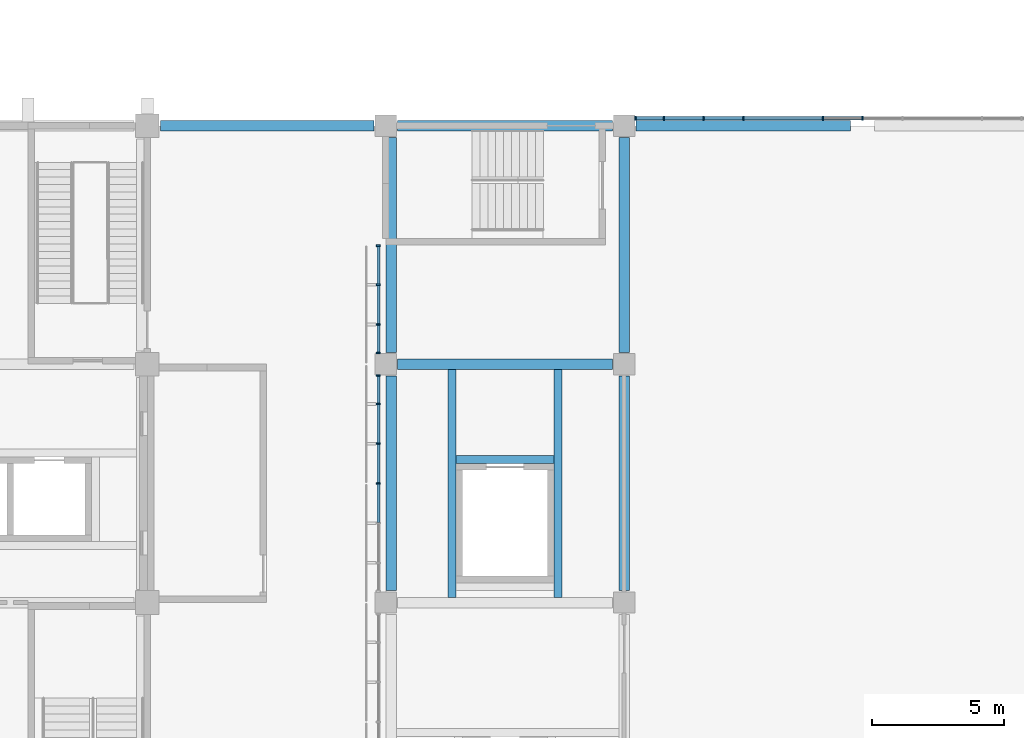
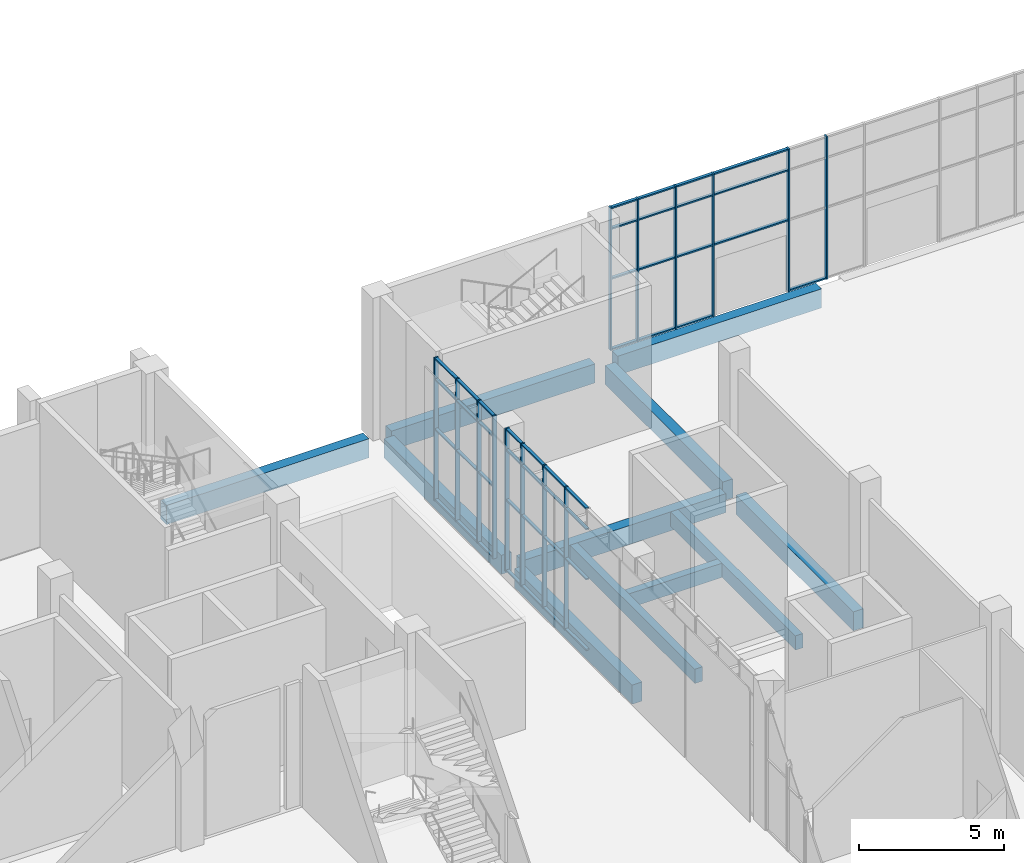
# One storey, part 23 of 86: 58 members, 11 beams, 3 elements without a shape of their own.
"""IFC4 building model written with IfcOpenShell, lengths in metres."""

from ifc_helpers import new_model, si_unit, direction, frame, origin, origin_2d, place, context, subcontext, project, spatial, rectangle, extrude, material, layer, layer_set, material_profile, profile_set, type_object, element, aggregate, save


model = new_model("IFC4")

# Units and contexts
model_context = context("Model", 3, precision=1e-05, world=origin(), true_north=direction((0.0, 1.0)))
body_context = subcontext(model_context, "Body", "Model", "MODEL_VIEW")
ifc_project = project(units=[si_unit("LENGTHUNIT", "METRE"), si_unit("AREAUNIT", "SQUARE_METRE"), si_unit("VOLUMEUNIT", "CUBIC_METRE"), si_unit("PLANEANGLEUNIT", "RADIAN"), si_unit("MASSUNIT", "GRAM", prefix="KILO")], contexts=[model_context])

# Site, building, storey
site_placement = place(None, origin())
site = spatial("IfcSite", under=ifc_project, at=site_placement, CompositionType="ELEMENT")
building_placement = place(site_placement, origin())
building = spatial("IfcBuilding", under=site, at=building_placement, Name="Guidao Yard Department Store", CompositionType="ELEMENT")
storey_placement = place(building_placement, origin())
storey = spatial("IfcBuildingStorey", under=building, at=storey_placement, Name="L00", CompositionType="ELEMENT", Elevation=0.0)

# Beams
ifc_material_1 = material(Name="Concrete C40", Category="concrete")
ifc_material_profile_1 = material_profile(ifc_material_1, rectangle(XDim=0.39990234375, YDim=0.800048828125, at=origin_2d()), Name="Edge beam 400 x 800 C40")
ifc_profile_set_1 = profile_set([ifc_material_profile_1], Name="Concrete C40")
beam_type_1 = type_object("IfcBeamType", Name="Edge beam 400 x 800 C40", PredefinedType="BEAM", material=ifc_profile_set_1)
for number, where, z_axis, x_axis, name in (
    (1, (72.199951171875, 90.449951171875, -0.39990234375), (0.0, 1.0, 0.0), (-1.0, 0.0, 0.0), "Beam EB39"),
    (2, (72.199951171875, 99.449951171875, -0.39990234375), (0.0, 1.0, 0.0), (-1.0, 0.0, 0.0), "Beam EB40"),
    (3, (81.0, 90.449951171875, -0.39990234375), (0.0, 1.0, 0.0), (-1.0, 0.0, 0.0), "Beam EB60"),
    (4, (81.0, 99.449951171875, -0.39990234375), (0.0, 1.0, 0.0), (-1.0, 0.0, 0.0), "Beam EB61"),
    (5, (72.449951171875, 99.0, -0.39990234375), (1.0, 0.0, 0.0), (0.0, 1.0, 0.0), "Beam EB103"),
):
    element("IfcBeam", number, at=place(storey_placement, frame(where, z_axis=z_axis, x_axis=x_axis)), inside=storey, type_object=beam_type_1, Name=name, PredefinedType="BEAM", context=body_context, shape_type="SweptSolid", body=[
        extrude(rectangle(XDim=0.39990234375, YDim=0.800048828125, at=origin_2d()), origin(), (0.0, 0.0, 1.0), 8.10009765625),
    ])

# Curtain wall, members
ifc_material_2 = material(Name="Aluminium and glass", Category="aluminium")
ifc_layer = layer(ifc_material_2, 0.159912109375)
ifc_layer_set = layer_set([ifc_layer], Name="Shopfront curtain wall CW1 1500 module")
curtain_wall_type = type_object("IfcCurtainWallType", Name="Shopfront curtain wall CW1 1500 module", PredefinedType="NOTDEFINED", material=ifc_layer_set)
curtain_wall_1_placement = place(storey_placement, origin())
curtain_wall_1 = element("IfcCurtainWall", 6, at=curtain_wall_1_placement, inside=storey, type_object=curtain_wall_type, Name="Arcade shop front", PredefinedType="NOTDEFINED")
ifc_material_3 = material(Name="Aluminium 6063-T5", Category="aluminium")
ifc_material_profile_2 = material_profile(ifc_material_3, rectangle(XDim=0.06005859375, YDim=0.159912109375, at=origin_2d()), Name="Mullion M1 60 x 160 aluminium pressure plate")
ifc_profile_set_2 = profile_set([ifc_material_profile_2], Name="Aluminium 6063-T5")
member_type_1 = type_object("IfcMemberType", Name="Mullion M1 60 x 160 aluminium pressure plate", PredefinedType="MULLION", material=ifc_profile_set_2)
member_1_placement = place(storey_placement, frame((71.719970703125, 94.5, 0.0), z_axis=(0.0, 0.0, 1.0), x_axis=(0.0, 1.0, 0.0)))
member_1 = element("IfcMember", 7, at=member_1_placement, type_object=member_type_1, Name="CW-AS-L00-09 mullion 4", PredefinedType="MULLION", context=body_context, shape_type="SweptSolid", body=[
    extrude(rectangle(XDim=0.06005859375, YDim=0.159912109375, at=origin_2d()), origin(), (0.0, 0.0, 1.0), 6.0),
])
member_2_placement = place(storey_placement, frame((71.719970703125, 96.0, 0.0), z_axis=(0.0, 0.0, 1.0), x_axis=(0.0, 1.0, 0.0)))
member_2 = element("IfcMember", 8, at=member_2_placement, type_object=member_type_1, Name="CW-AS-L00-09 mullion 5", PredefinedType="MULLION", context=body_context, shape_type="SweptSolid", body=[
    extrude(rectangle(XDim=0.06005859375, YDim=0.159912109375, at=origin_2d()), origin(), (0.0, 0.0, 1.0), 6.0),
])
member_3_placement = place(storey_placement, frame((71.719970703125, 97.5, 0.0), z_axis=(0.0, 0.0, 1.0), x_axis=(0.0, 1.0, 0.0)))
member_3 = element("IfcMember", 9, at=member_3_placement, type_object=member_type_1, Name="CW-AS-L00-09 mullion 6", PredefinedType="MULLION", context=body_context, shape_type="SweptSolid", body=[
    extrude(rectangle(XDim=0.06005859375, YDim=0.159912109375, at=origin_2d()), origin(), (0.0, 0.0, 1.0), 6.0),
])
member_4_placement = place(storey_placement, frame((71.719970703125, 98.570068359375, 0.0), z_axis=(0.0, 0.0, 1.0), x_axis=(0.0, 1.0, 0.0)))
member_4 = element("IfcMember", 10, at=member_4_placement, type_object=member_type_1, Name="CW-AS-L00-09 mullion 7", PredefinedType="MULLION", context=body_context, shape_type="SweptSolid", body=[
    extrude(rectangle(XDim=0.06005859375, YDim=0.159912109375, at=origin_2d()), origin(), (0.0, 0.0, 1.0), 6.0),
])

curtain_wall_2_placement = place(storey_placement, origin())
curtain_wall_2 = element("IfcCurtainWall", 11, at=curtain_wall_2_placement, inside=storey, type_object=curtain_wall_type, Name="Arcade shop front", PredefinedType="NOTDEFINED")
member_5_placement = place(storey_placement, frame((71.719970703125, 99.429931640625, 0.0), z_axis=(0.0, 0.0, 1.0), x_axis=(0.0, 1.0, 0.0)))
member_5 = element("IfcMember", 12, at=member_5_placement, type_object=member_type_1, Name="CW-AS-L00-10 mullion 1", PredefinedType="MULLION", context=body_context, shape_type="SweptSolid", body=[
    extrude(rectangle(XDim=0.06005859375, YDim=0.159912109375, at=origin_2d()), origin(), (0.0, 0.0, 1.0), 6.0),
])
member_6_placement = place(storey_placement, frame((71.719970703125, 100.5, 0.0), z_axis=(0.0, 0.0, 1.0), x_axis=(0.0, 1.0, 0.0)))
member_6 = element("IfcMember", 13, at=member_6_placement, type_object=member_type_1, Name="CW-AS-L00-10 mullion 2", PredefinedType="MULLION", context=body_context, shape_type="SweptSolid", body=[
    extrude(rectangle(XDim=0.06005859375, YDim=0.159912109375, at=origin_2d()), origin(), (0.0, 0.0, 1.0), 6.0),
])
member_7_placement = place(storey_placement, frame((71.719970703125, 102.0, 0.0), z_axis=(0.0, 0.0, 1.0), x_axis=(0.0, 1.0, 0.0)))
member_7 = element("IfcMember", 14, at=member_7_placement, type_object=member_type_1, Name="CW-AS-L00-10 mullion 3", PredefinedType="MULLION", context=body_context, shape_type="SweptSolid", body=[
    extrude(rectangle(XDim=0.06005859375, YDim=0.159912109375, at=origin_2d()), origin(), (0.0, 0.0, 1.0), 6.0),
])
member_8_placement = place(storey_placement, frame((71.719970703125, 103.469970703125, 0.0), z_axis=(0.0, 0.0, 1.0), x_axis=(0.0, 1.0, 0.0)))
member_8 = element("IfcMember", 15, at=member_8_placement, type_object=member_type_1, Name="CW-AS-L00-10 mullion 4", PredefinedType="MULLION", context=body_context, shape_type="SweptSolid", body=[
    extrude(rectangle(XDim=0.06005859375, YDim=0.159912109375, at=origin_2d()), origin(), (0.0, 0.0, 1.0), 6.0),
])

curtain_wall_3_placement = place(storey_placement, origin())
curtain_wall_3 = element("IfcCurtainWall", 16, at=curtain_wall_3_placement, inside=storey, type_object=curtain_wall_type, Name="Arcade gable glazing", PredefinedType="NOTDEFINED")
member_9_placement = place(storey_placement, frame((81.429931640625, 108.280029296875, 0.0), z_axis=(0.0, 0.0, 1.0), x_axis=(1.0, 0.0, 0.0)))
member_9 = element("IfcMember", 17, at=member_9_placement, type_object=member_type_1, Name="CW-AG-L00-01 mullion 1", PredefinedType="MULLION", context=body_context, shape_type="SweptSolid", body=[
    extrude(rectangle(XDim=0.06005859375, YDim=0.159912109375, at=origin_2d()), origin(), (0.0, 0.0, 1.0), 6.0),
])
member_10_placement = place(storey_placement, frame((82.5, 108.280029296875, 0.0), z_axis=(0.0, 0.0, 1.0), x_axis=(1.0, 0.0, 0.0)))
member_10 = element("IfcMember", 18, at=member_10_placement, type_object=member_type_1, Name="CW-AG-L00-01 mullion 2", PredefinedType="MULLION", context=body_context, shape_type="SweptSolid", body=[
    extrude(rectangle(XDim=0.06005859375, YDim=0.159912109375, at=origin_2d()), origin(), (0.0, 0.0, 1.0), 6.0),
])
member_11_placement = place(storey_placement, frame((84.0, 108.280029296875, 0.0), z_axis=(0.0, 0.0, 1.0), x_axis=(1.0, 0.0, 0.0)))
member_11 = element("IfcMember", 19, at=member_11_placement, type_object=member_type_1, Name="CW-AG-L00-01 mullion 3", PredefinedType="MULLION", context=body_context, shape_type="SweptSolid", body=[
    extrude(rectangle(XDim=0.06005859375, YDim=0.159912109375, at=origin_2d()), origin(), (0.0, 0.0, 1.0), 6.0),
])
member_12_placement = place(storey_placement, frame((85.5, 108.280029296875, 0.0), z_axis=(0.0, 0.0, 1.0), x_axis=(1.0, 0.0, 0.0)))
member_12 = element("IfcMember", 20, at=member_12_placement, type_object=member_type_1, Name="CW-AG-L00-01 mullion 4", PredefinedType="MULLION", context=body_context, shape_type="SweptSolid", body=[
    extrude(rectangle(XDim=0.06005859375, YDim=0.159912109375, at=origin_2d()), origin(), (0.0, 0.0, 1.0), 6.0),
])
member_13_placement = place(storey_placement, frame((88.5, 108.280029296875, 0.0), z_axis=(0.0, 0.0, 1.0), x_axis=(1.0, 0.0, 0.0)))
member_13 = element("IfcMember", 21, at=member_13_placement, type_object=member_type_1, Name="CW-AG-L00-01 mullion 5", PredefinedType="MULLION", context=body_context, shape_type="SweptSolid", body=[
    extrude(rectangle(XDim=0.06005859375, YDim=0.159912109375, at=origin_2d()), origin(), (0.0, 0.0, 1.0), 6.0),
])
member_14_placement = place(storey_placement, frame((90.0, 108.280029296875, 0.0), z_axis=(0.0, 0.0, 1.0), x_axis=(1.0, 0.0, 0.0)))
member_14 = element("IfcMember", 22, at=member_14_placement, type_object=member_type_1, Name="CW-AG-L00-01 mullion 6", PredefinedType="MULLION", context=body_context, shape_type="SweptSolid", body=[
    extrude(rectangle(XDim=0.06005859375, YDim=0.159912109375, at=origin_2d()), origin(), (0.0, 0.0, 1.0), 6.0),
])

# Beams
ifc_material_4 = material(Name="Concrete C40", Category="concrete")
ifc_material_profile_3 = material_profile(ifc_material_4, rectangle(XDim=0.300048828125, YDim=0.60009765625, at=origin_2d()), Name="Opening beam 300 x 600 C40")
ifc_profile_set_3 = profile_set([ifc_material_profile_3], Name="Concrete C40")
beam_type_2 = type_object("IfcBeamType", Name="Opening beam 300 x 600 C40", PredefinedType="BEAM", material=ifc_profile_set_3)
for number, where, z_axis, x_axis, name in (
    (23, (74.5, 90.199951171875, -0.300048828125), (0.0, 1.0, 0.0), (-1.0, 0.0, 0.0), "Beam OB21"),
    (24, (78.5, 90.199951171875, -0.300048828125), (0.0, 1.0, 0.0), (-1.0, 0.0, 0.0), "Beam OB22"),
):
    element("IfcBeam", number, at=place(storey_placement, frame(where, z_axis=z_axis, x_axis=x_axis)), inside=storey, type_object=beam_type_2, Name=name, PredefinedType="BEAM", context=body_context, shape_type="SweptSolid", body=[
        extrude(rectangle(XDim=0.300048828125, YDim=0.60009765625, at=origin_2d()), origin(), (0.0, 0.0, 1.0), 8.60009765625),
    ])
beam_1_placement = place(storey_placement, frame((74.64990234375, 95.39990234375, -0.300048828125), z_axis=(1.0, 0.0, 0.0), x_axis=(0.0, 1.0, 0.0)))
element("IfcBeam", 25, at=beam_1_placement, inside=storey, type_object=beam_type_2, Name="Beam OB24", PredefinedType="BEAM", context=body_context, shape_type="SweptSolid", body=[
    extrude(rectangle(XDim=0.300048828125, YDim=0.60009765625, at=origin_2d()), origin(), (0.0, 0.0, 1.0), 3.7001953125),
])
ifc_material_5 = material(Name="Concrete C40", Category="concrete")
ifc_material_profile_4 = material_profile(ifc_material_5, rectangle(XDim=0.39990234375, YDim=0.800048828125, at=origin_2d()), Name="Spandrel beam 400 x 800 C40")
ifc_profile_set_4 = profile_set([ifc_material_profile_4], Name="Concrete C40")
beam_type_3 = type_object("IfcBeamType", Name="Spandrel beam 400 x 800 C40", PredefinedType="SPANDREL", material=ifc_profile_set_4)
for number, where, z_axis, x_axis, name in (
    (26, (72.449951171875, 108.0, -0.39990234375), (1.0, 0.0, 0.0), (0.0, 1.0, 0.0), "Beam EB41"),
    (27, (81.449951171875, 108.0, -0.39990234375), (1.0, 0.0, 0.0), (0.0, 1.0, 0.0), "Beam EB42"),
):
    element("IfcBeam", number, at=place(storey_placement, frame(where, z_axis=z_axis, x_axis=x_axis)), inside=storey, type_object=beam_type_3, Name=name, PredefinedType="SPANDREL", context=body_context, shape_type="SweptSolid", body=[
        extrude(rectangle(XDim=0.39990234375, YDim=0.800048828125, at=origin_2d()), origin(), (0.0, 0.0, 1.0), 8.10009765625),
    ])
beam_2_placement = place(storey_placement, frame((63.5, 108.0, -0.39990234375), z_axis=(1.0, 0.0, 0.0), x_axis=(0.0, 1.0, 0.0)))
element("IfcBeam", 28, at=beam_2_placement, inside=storey, type_object=beam_type_3, Name="Beam EB71", PredefinedType="SPANDREL", context=body_context, shape_type="SweptSolid", body=[
    extrude(rectangle(XDim=0.39990234375, YDim=0.800048828125, at=origin_2d()), origin(), (0.0, 0.0, 1.0), 8.050048828125),
])

# Member
ifc_material_6 = material(Name="Aluminium 6063-T5", Category="aluminium")
ifc_material_profile_5 = material_profile(ifc_material_6, rectangle(XDim=0.1201171875, YDim=0.06005859375, at=origin_2d()), Name="Transom T1 60 x 120 aluminium pressure plate")
ifc_profile_set_5 = profile_set([ifc_material_profile_5], Name="Aluminium 6063-T5")
member_type_2 = type_object("IfcMemberType", Name="Transom T1 60 x 120 aluminium pressure plate", PredefinedType="USERDEFINED", material=ifc_profile_set_5)
member_15_placement = place(storey_placement, frame((71.719970703125, 93.030029296875, 0.030029296875), z_axis=(0.0, 1.0, 0.0), x_axis=(-1.0, 0.0, 0.0)))
member_15 = element("IfcMember", 29, at=member_15_placement, type_object=member_type_2, Name="CW-AS-L00-09 transom 3.1", ObjectType="TRANSOM", PredefinedType="USERDEFINED", context=body_context, shape_type="SweptSolid", body=[
    extrude(rectangle(XDim=0.1201171875, YDim=0.06005859375, at=origin_2d()), origin(), (0.0, 0.0, 1.0), 1.43994140625),
])

member_16_placement = place(storey_placement, frame((71.719970703125, 93.030029296875, 3.0), z_axis=(0.0, 1.0, 0.0), x_axis=(-1.0, 0.0, 0.0)))
member_16 = element("IfcMember", 30, at=member_16_placement, type_object=member_type_2, Name="CW-AS-L00-09 transom 3.2", ObjectType="TRANSOM", PredefinedType="USERDEFINED", context=body_context, shape_type="SweptSolid", body=[
    extrude(rectangle(XDim=0.1201171875, YDim=0.06005859375, at=origin_2d()), origin(), (0.0, 0.0, 1.0), 1.43994140625),
])

member_17_placement = place(storey_placement, frame((71.719970703125, 93.030029296875, 5.10009765625), z_axis=(0.0, 1.0, 0.0), x_axis=(-1.0, 0.0, 0.0)))
member_17 = element("IfcMember", 31, at=member_17_placement, type_object=member_type_2, Name="CW-AS-L00-09 transom 3.3", ObjectType="TRANSOM", PredefinedType="USERDEFINED", context=body_context, shape_type="SweptSolid", body=[
    extrude(rectangle(XDim=0.1201171875, YDim=0.06005859375, at=origin_2d()), origin(), (0.0, 0.0, 1.0), 1.43994140625),
])

member_18_placement = place(storey_placement, frame((71.719970703125, 93.030029296875, 5.969970703125), z_axis=(0.0, 1.0, 0.0), x_axis=(-1.0, 0.0, 0.0)))
member_18 = element("IfcMember", 32, at=member_18_placement, type_object=member_type_2, Name="CW-AS-L00-09 transom 3.4", ObjectType="TRANSOM", PredefinedType="USERDEFINED", context=body_context, shape_type="SweptSolid", body=[
    extrude(rectangle(XDim=0.1201171875, YDim=0.06005859375, at=origin_2d()), origin(), (0.0, 0.0, 1.0), 1.43994140625),
])

member_19_placement = place(storey_placement, frame((71.719970703125, 94.530029296875, 0.030029296875), z_axis=(0.0, 1.0, 0.0), x_axis=(-1.0, 0.0, 0.0)))
member_19 = element("IfcMember", 33, at=member_19_placement, type_object=member_type_2, Name="CW-AS-L00-09 transom 4.1", ObjectType="TRANSOM", PredefinedType="USERDEFINED", context=body_context, shape_type="SweptSolid", body=[
    extrude(rectangle(XDim=0.1201171875, YDim=0.06005859375, at=origin_2d()), origin(), (0.0, 0.0, 1.0), 1.43994140625),
])

member_20_placement = place(storey_placement, frame((71.719970703125, 94.530029296875, 3.0), z_axis=(0.0, 1.0, 0.0), x_axis=(-1.0, 0.0, 0.0)))
member_20 = element("IfcMember", 34, at=member_20_placement, type_object=member_type_2, Name="CW-AS-L00-09 transom 4.2", ObjectType="TRANSOM", PredefinedType="USERDEFINED", context=body_context, shape_type="SweptSolid", body=[
    extrude(rectangle(XDim=0.1201171875, YDim=0.06005859375, at=origin_2d()), origin(), (0.0, 0.0, 1.0), 1.43994140625),
])

member_21_placement = place(storey_placement, frame((71.719970703125, 94.530029296875, 5.10009765625), z_axis=(0.0, 1.0, 0.0), x_axis=(-1.0, 0.0, 0.0)))
member_21 = element("IfcMember", 35, at=member_21_placement, type_object=member_type_2, Name="CW-AS-L00-09 transom 4.3", ObjectType="TRANSOM", PredefinedType="USERDEFINED", context=body_context, shape_type="SweptSolid", body=[
    extrude(rectangle(XDim=0.1201171875, YDim=0.06005859375, at=origin_2d()), origin(), (0.0, 0.0, 1.0), 1.43994140625),
])

member_22_placement = place(storey_placement, frame((71.719970703125, 94.530029296875, 5.969970703125), z_axis=(0.0, 1.0, 0.0), x_axis=(-1.0, 0.0, 0.0)))
member_22 = element("IfcMember", 36, at=member_22_placement, type_object=member_type_2, Name="CW-AS-L00-09 transom 4.4", ObjectType="TRANSOM", PredefinedType="USERDEFINED", context=body_context, shape_type="SweptSolid", body=[
    extrude(rectangle(XDim=0.1201171875, YDim=0.06005859375, at=origin_2d()), origin(), (0.0, 0.0, 1.0), 1.43994140625),
])

member_23_placement = place(storey_placement, frame((71.719970703125, 96.030029296875, 0.030029296875), z_axis=(0.0, 1.0, 0.0), x_axis=(-1.0, 0.0, 0.0)))
member_23 = element("IfcMember", 37, at=member_23_placement, type_object=member_type_2, Name="CW-AS-L00-09 transom 5.1", ObjectType="TRANSOM", PredefinedType="USERDEFINED", context=body_context, shape_type="SweptSolid", body=[
    extrude(rectangle(XDim=0.1201171875, YDim=0.06005859375, at=origin_2d()), origin(), (0.0, 0.0, 1.0), 1.43994140625),
])

member_24_placement = place(storey_placement, frame((71.719970703125, 96.030029296875, 3.0), z_axis=(0.0, 1.0, 0.0), x_axis=(-1.0, 0.0, 0.0)))
member_24 = element("IfcMember", 38, at=member_24_placement, type_object=member_type_2, Name="CW-AS-L00-09 transom 5.2", ObjectType="TRANSOM", PredefinedType="USERDEFINED", context=body_context, shape_type="SweptSolid", body=[
    extrude(rectangle(XDim=0.1201171875, YDim=0.06005859375, at=origin_2d()), origin(), (0.0, 0.0, 1.0), 1.43994140625),
])

member_25_placement = place(storey_placement, frame((71.719970703125, 96.030029296875, 5.10009765625), z_axis=(0.0, 1.0, 0.0), x_axis=(-1.0, 0.0, 0.0)))
member_25 = element("IfcMember", 39, at=member_25_placement, type_object=member_type_2, Name="CW-AS-L00-09 transom 5.3", ObjectType="TRANSOM", PredefinedType="USERDEFINED", context=body_context, shape_type="SweptSolid", body=[
    extrude(rectangle(XDim=0.1201171875, YDim=0.06005859375, at=origin_2d()), origin(), (0.0, 0.0, 1.0), 1.43994140625),
])

member_26_placement = place(storey_placement, frame((71.719970703125, 96.030029296875, 5.969970703125), z_axis=(0.0, 1.0, 0.0), x_axis=(-1.0, 0.0, 0.0)))
member_26 = element("IfcMember", 40, at=member_26_placement, type_object=member_type_2, Name="CW-AS-L00-09 transom 5.4", ObjectType="TRANSOM", PredefinedType="USERDEFINED", context=body_context, shape_type="SweptSolid", body=[
    extrude(rectangle(XDim=0.1201171875, YDim=0.06005859375, at=origin_2d()), origin(), (0.0, 0.0, 1.0), 1.43994140625),
])

member_27_placement = place(storey_placement, frame((71.719970703125, 97.530029296875, 0.030029296875), z_axis=(0.0, 1.0, 0.0), x_axis=(-1.0, 0.0, 0.0)))
member_27 = element("IfcMember", 41, at=member_27_placement, type_object=member_type_2, Name="CW-AS-L00-09 transom 6.1", ObjectType="TRANSOM", PredefinedType="USERDEFINED", context=body_context, shape_type="SweptSolid", body=[
    extrude(rectangle(XDim=0.1201171875, YDim=0.06005859375, at=origin_2d()), origin(), (0.0, 0.0, 1.0), 1.010009765625),
])

member_28_placement = place(storey_placement, frame((71.719970703125, 97.530029296875, 3.0), z_axis=(0.0, 1.0, 0.0), x_axis=(-1.0, 0.0, 0.0)))
member_28 = element("IfcMember", 42, at=member_28_placement, type_object=member_type_2, Name="CW-AS-L00-09 transom 6.2", ObjectType="TRANSOM", PredefinedType="USERDEFINED", context=body_context, shape_type="SweptSolid", body=[
    extrude(rectangle(XDim=0.1201171875, YDim=0.06005859375, at=origin_2d()), origin(), (0.0, 0.0, 1.0), 1.010009765625),
])

member_29_placement = place(storey_placement, frame((71.719970703125, 97.530029296875, 5.10009765625), z_axis=(0.0, 1.0, 0.0), x_axis=(-1.0, 0.0, 0.0)))
member_29 = element("IfcMember", 43, at=member_29_placement, type_object=member_type_2, Name="CW-AS-L00-09 transom 6.3", ObjectType="TRANSOM", PredefinedType="USERDEFINED", context=body_context, shape_type="SweptSolid", body=[
    extrude(rectangle(XDim=0.1201171875, YDim=0.06005859375, at=origin_2d()), origin(), (0.0, 0.0, 1.0), 1.010009765625),
])

member_30_placement = place(storey_placement, frame((71.719970703125, 97.530029296875, 5.969970703125), z_axis=(0.0, 1.0, 0.0), x_axis=(-1.0, 0.0, 0.0)))
member_30 = element("IfcMember", 44, at=member_30_placement, type_object=member_type_2, Name="CW-AS-L00-09 transom 6.4", ObjectType="TRANSOM", PredefinedType="USERDEFINED", context=body_context, shape_type="SweptSolid", body=[
    extrude(rectangle(XDim=0.1201171875, YDim=0.06005859375, at=origin_2d()), origin(), (0.0, 0.0, 1.0), 1.010009765625),
])

aggregate(curtain_wall_1, [member_1, member_2, member_3, member_4, member_15, member_16, member_17, member_18, member_19, member_20, member_21, member_22, member_23, member_24, member_25, member_26, member_27, member_28, member_29, member_30])

member_31_placement = place(storey_placement, frame((71.719970703125, 99.4599609375, 0.030029296875), z_axis=(0.0, 1.0, 0.0), x_axis=(-1.0, 0.0, 0.0)))
member_31 = element("IfcMember", 45, at=member_31_placement, type_object=member_type_2, Name="CW-AS-L00-10 transom 1.1", ObjectType="TRANSOM", PredefinedType="USERDEFINED", context=body_context, shape_type="SweptSolid", body=[
    extrude(rectangle(XDim=0.1201171875, YDim=0.06005859375, at=origin_2d()), origin(), (0.0, 0.0, 1.0), 1.010009765625),
])

member_32_placement = place(storey_placement, frame((71.719970703125, 99.4599609375, 3.0), z_axis=(0.0, 1.0, 0.0), x_axis=(-1.0, 0.0, 0.0)))
member_32 = element("IfcMember", 46, at=member_32_placement, type_object=member_type_2, Name="CW-AS-L00-10 transom 1.2", ObjectType="TRANSOM", PredefinedType="USERDEFINED", context=body_context, shape_type="SweptSolid", body=[
    extrude(rectangle(XDim=0.1201171875, YDim=0.06005859375, at=origin_2d()), origin(), (0.0, 0.0, 1.0), 1.010009765625),
])

member_33_placement = place(storey_placement, frame((71.719970703125, 99.4599609375, 5.10009765625), z_axis=(0.0, 1.0, 0.0), x_axis=(-1.0, 0.0, 0.0)))
member_33 = element("IfcMember", 47, at=member_33_placement, type_object=member_type_2, Name="CW-AS-L00-10 transom 1.3", ObjectType="TRANSOM", PredefinedType="USERDEFINED", context=body_context, shape_type="SweptSolid", body=[
    extrude(rectangle(XDim=0.1201171875, YDim=0.06005859375, at=origin_2d()), origin(), (0.0, 0.0, 1.0), 1.010009765625),
])

member_34_placement = place(storey_placement, frame((71.719970703125, 99.4599609375, 5.969970703125), z_axis=(0.0, 1.0, 0.0), x_axis=(-1.0, 0.0, 0.0)))
member_34 = element("IfcMember", 48, at=member_34_placement, type_object=member_type_2, Name="CW-AS-L00-10 transom 1.4", ObjectType="TRANSOM", PredefinedType="USERDEFINED", context=body_context, shape_type="SweptSolid", body=[
    extrude(rectangle(XDim=0.1201171875, YDim=0.06005859375, at=origin_2d()), origin(), (0.0, 0.0, 1.0), 1.010009765625),
])

member_35_placement = place(storey_placement, frame((71.719970703125, 100.530029296875, 0.030029296875), z_axis=(0.0, 1.0, 0.0), x_axis=(-1.0, 0.0, 0.0)))
member_35 = element("IfcMember", 49, at=member_35_placement, type_object=member_type_2, Name="CW-AS-L00-10 transom 2.1", ObjectType="TRANSOM", PredefinedType="USERDEFINED", context=body_context, shape_type="SweptSolid", body=[
    extrude(rectangle(XDim=0.1201171875, YDim=0.06005859375, at=origin_2d()), origin(), (0.0, 0.0, 1.0), 1.43994140625),
])

member_36_placement = place(storey_placement, frame((71.719970703125, 100.530029296875, 3.0), z_axis=(0.0, 1.0, 0.0), x_axis=(-1.0, 0.0, 0.0)))
member_36 = element("IfcMember", 50, at=member_36_placement, type_object=member_type_2, Name="CW-AS-L00-10 transom 2.2", ObjectType="TRANSOM", PredefinedType="USERDEFINED", context=body_context, shape_type="SweptSolid", body=[
    extrude(rectangle(XDim=0.1201171875, YDim=0.06005859375, at=origin_2d()), origin(), (0.0, 0.0, 1.0), 1.43994140625),
])

member_37_placement = place(storey_placement, frame((71.719970703125, 100.530029296875, 5.10009765625), z_axis=(0.0, 1.0, 0.0), x_axis=(-1.0, 0.0, 0.0)))
member_37 = element("IfcMember", 51, at=member_37_placement, type_object=member_type_2, Name="CW-AS-L00-10 transom 2.3", ObjectType="TRANSOM", PredefinedType="USERDEFINED", context=body_context, shape_type="SweptSolid", body=[
    extrude(rectangle(XDim=0.1201171875, YDim=0.06005859375, at=origin_2d()), origin(), (0.0, 0.0, 1.0), 1.43994140625),
])

member_38_placement = place(storey_placement, frame((71.719970703125, 100.530029296875, 5.969970703125), z_axis=(0.0, 1.0, 0.0), x_axis=(-1.0, 0.0, 0.0)))
member_38 = element("IfcMember", 52, at=member_38_placement, type_object=member_type_2, Name="CW-AS-L00-10 transom 2.4", ObjectType="TRANSOM", PredefinedType="USERDEFINED", context=body_context, shape_type="SweptSolid", body=[
    extrude(rectangle(XDim=0.1201171875, YDim=0.06005859375, at=origin_2d()), origin(), (0.0, 0.0, 1.0), 1.43994140625),
])

member_39_placement = place(storey_placement, frame((71.719970703125, 102.030029296875, 0.030029296875), z_axis=(0.0, 1.0, 0.0), x_axis=(-1.0, 0.0, 0.0)))
member_39 = element("IfcMember", 53, at=member_39_placement, type_object=member_type_2, Name="CW-AS-L00-10 transom 3.1", ObjectType="TRANSOM", PredefinedType="USERDEFINED", context=body_context, shape_type="SweptSolid", body=[
    extrude(rectangle(XDim=0.1201171875, YDim=0.06005859375, at=origin_2d()), origin(), (0.0, 0.0, 1.0), 1.409912109375),
])

member_40_placement = place(storey_placement, frame((71.719970703125, 102.030029296875, 3.0), z_axis=(0.0, 1.0, 0.0), x_axis=(-1.0, 0.0, 0.0)))
member_40 = element("IfcMember", 54, at=member_40_placement, type_object=member_type_2, Name="CW-AS-L00-10 transom 3.2", ObjectType="TRANSOM", PredefinedType="USERDEFINED", context=body_context, shape_type="SweptSolid", body=[
    extrude(rectangle(XDim=0.1201171875, YDim=0.06005859375, at=origin_2d()), origin(), (0.0, 0.0, 1.0), 1.409912109375),
])

member_41_placement = place(storey_placement, frame((71.719970703125, 102.030029296875, 5.10009765625), z_axis=(0.0, 1.0, 0.0), x_axis=(-1.0, 0.0, 0.0)))
member_41 = element("IfcMember", 55, at=member_41_placement, type_object=member_type_2, Name="CW-AS-L00-10 transom 3.3", ObjectType="TRANSOM", PredefinedType="USERDEFINED", context=body_context, shape_type="SweptSolid", body=[
    extrude(rectangle(XDim=0.1201171875, YDim=0.06005859375, at=origin_2d()), origin(), (0.0, 0.0, 1.0), 1.409912109375),
])

member_42_placement = place(storey_placement, frame((71.719970703125, 102.030029296875, 5.969970703125), z_axis=(0.0, 1.0, 0.0), x_axis=(-1.0, 0.0, 0.0)))
member_42 = element("IfcMember", 56, at=member_42_placement, type_object=member_type_2, Name="CW-AS-L00-10 transom 3.4", ObjectType="TRANSOM", PredefinedType="USERDEFINED", context=body_context, shape_type="SweptSolid", body=[
    extrude(rectangle(XDim=0.1201171875, YDim=0.06005859375, at=origin_2d()), origin(), (0.0, 0.0, 1.0), 1.409912109375),
])

aggregate(curtain_wall_2, [member_5, member_6, member_7, member_8, member_31, member_32, member_33, member_34, member_35, member_36, member_37, member_38, member_39, member_40, member_41, member_42])

member_43_placement = place(storey_placement, frame((81.4599609375, 108.280029296875, 0.030029296875), z_axis=(1.0, 0.0, 0.0), x_axis=(0.0, 1.0, 0.0)))
member_43 = element("IfcMember", 57, at=member_43_placement, type_object=member_type_2, Name="CW-AG-L00-01 transom 1.1", ObjectType="TRANSOM", PredefinedType="USERDEFINED", context=body_context, shape_type="SweptSolid", body=[
    extrude(rectangle(XDim=0.1201171875, YDim=0.06005859375, at=origin_2d()), origin(), (0.0, 0.0, 1.0), 1.010009765625),
])

member_44_placement = place(storey_placement, frame((81.4599609375, 108.280029296875, 3.0), z_axis=(1.0, 0.0, 0.0), x_axis=(0.0, 1.0, 0.0)))
member_44 = element("IfcMember", 58, at=member_44_placement, type_object=member_type_2, Name="CW-AG-L00-01 transom 1.2", ObjectType="TRANSOM", PredefinedType="USERDEFINED", context=body_context, shape_type="SweptSolid", body=[
    extrude(rectangle(XDim=0.1201171875, YDim=0.06005859375, at=origin_2d()), origin(), (0.0, 0.0, 1.0), 1.010009765625),
])

member_45_placement = place(storey_placement, frame((81.4599609375, 108.280029296875, 5.10009765625), z_axis=(1.0, 0.0, 0.0), x_axis=(0.0, 1.0, 0.0)))
member_45 = element("IfcMember", 59, at=member_45_placement, type_object=member_type_2, Name="CW-AG-L00-01 transom 1.3", ObjectType="TRANSOM", PredefinedType="USERDEFINED", context=body_context, shape_type="SweptSolid", body=[
    extrude(rectangle(XDim=0.1201171875, YDim=0.06005859375, at=origin_2d()), origin(), (0.0, 0.0, 1.0), 1.010009765625),
])

member_46_placement = place(storey_placement, frame((81.4599609375, 108.280029296875, 5.969970703125), z_axis=(1.0, 0.0, 0.0), x_axis=(0.0, 1.0, 0.0)))
member_46 = element("IfcMember", 60, at=member_46_placement, type_object=member_type_2, Name="CW-AG-L00-01 transom 1.4", ObjectType="TRANSOM", PredefinedType="USERDEFINED", context=body_context, shape_type="SweptSolid", body=[
    extrude(rectangle(XDim=0.1201171875, YDim=0.06005859375, at=origin_2d()), origin(), (0.0, 0.0, 1.0), 1.010009765625),
])

member_47_placement = place(storey_placement, frame((82.530029296875, 108.280029296875, 0.030029296875), z_axis=(1.0, 0.0, 0.0), x_axis=(0.0, 1.0, 0.0)))
member_47 = element("IfcMember", 61, at=member_47_placement, type_object=member_type_2, Name="CW-AG-L00-01 transom 2.1", ObjectType="TRANSOM", PredefinedType="USERDEFINED", context=body_context, shape_type="SweptSolid", body=[
    extrude(rectangle(XDim=0.1201171875, YDim=0.06005859375, at=origin_2d()), origin(), (0.0, 0.0, 1.0), 1.43994140625),
])

member_48_placement = place(storey_placement, frame((82.530029296875, 108.280029296875, 3.0), z_axis=(1.0, 0.0, 0.0), x_axis=(0.0, 1.0, 0.0)))
member_48 = element("IfcMember", 62, at=member_48_placement, type_object=member_type_2, Name="CW-AG-L00-01 transom 2.2", ObjectType="TRANSOM", PredefinedType="USERDEFINED", context=body_context, shape_type="SweptSolid", body=[
    extrude(rectangle(XDim=0.1201171875, YDim=0.06005859375, at=origin_2d()), origin(), (0.0, 0.0, 1.0), 1.43994140625),
])

member_49_placement = place(storey_placement, frame((82.530029296875, 108.280029296875, 5.10009765625), z_axis=(1.0, 0.0, 0.0), x_axis=(0.0, 1.0, 0.0)))
member_49 = element("IfcMember", 63, at=member_49_placement, type_object=member_type_2, Name="CW-AG-L00-01 transom 2.3", ObjectType="TRANSOM", PredefinedType="USERDEFINED", context=body_context, shape_type="SweptSolid", body=[
    extrude(rectangle(XDim=0.1201171875, YDim=0.06005859375, at=origin_2d()), origin(), (0.0, 0.0, 1.0), 1.43994140625),
])

member_50_placement = place(storey_placement, frame((82.530029296875, 108.280029296875, 5.969970703125), z_axis=(1.0, 0.0, 0.0), x_axis=(0.0, 1.0, 0.0)))
member_50 = element("IfcMember", 64, at=member_50_placement, type_object=member_type_2, Name="CW-AG-L00-01 transom 2.4", ObjectType="TRANSOM", PredefinedType="USERDEFINED", context=body_context, shape_type="SweptSolid", body=[
    extrude(rectangle(XDim=0.1201171875, YDim=0.06005859375, at=origin_2d()), origin(), (0.0, 0.0, 1.0), 1.43994140625),
])

member_51_placement = place(storey_placement, frame((84.030029296875, 108.280029296875, 0.030029296875), z_axis=(1.0, 0.0, 0.0), x_axis=(0.0, 1.0, 0.0)))
member_51 = element("IfcMember", 65, at=member_51_placement, type_object=member_type_2, Name="CW-AG-L00-01 transom 3.1", ObjectType="TRANSOM", PredefinedType="USERDEFINED", context=body_context, shape_type="SweptSolid", body=[
    extrude(rectangle(XDim=0.1201171875, YDim=0.06005859375, at=origin_2d()), origin(), (0.0, 0.0, 1.0), 1.43994140625),
])

member_52_placement = place(storey_placement, frame((84.030029296875, 108.280029296875, 3.0), z_axis=(1.0, 0.0, 0.0), x_axis=(0.0, 1.0, 0.0)))
member_52 = element("IfcMember", 66, at=member_52_placement, type_object=member_type_2, Name="CW-AG-L00-01 transom 3.2", ObjectType="TRANSOM", PredefinedType="USERDEFINED", context=body_context, shape_type="SweptSolid", body=[
    extrude(rectangle(XDim=0.1201171875, YDim=0.06005859375, at=origin_2d()), origin(), (0.0, 0.0, 1.0), 1.43994140625),
])

member_53_placement = place(storey_placement, frame((84.030029296875, 108.280029296875, 5.10009765625), z_axis=(1.0, 0.0, 0.0), x_axis=(0.0, 1.0, 0.0)))
member_53 = element("IfcMember", 67, at=member_53_placement, type_object=member_type_2, Name="CW-AG-L00-01 transom 3.3", ObjectType="TRANSOM", PredefinedType="USERDEFINED", context=body_context, shape_type="SweptSolid", body=[
    extrude(rectangle(XDim=0.1201171875, YDim=0.06005859375, at=origin_2d()), origin(), (0.0, 0.0, 1.0), 1.43994140625),
])

member_54_placement = place(storey_placement, frame((84.030029296875, 108.280029296875, 5.969970703125), z_axis=(1.0, 0.0, 0.0), x_axis=(0.0, 1.0, 0.0)))
member_54 = element("IfcMember", 68, at=member_54_placement, type_object=member_type_2, Name="CW-AG-L00-01 transom 3.4", ObjectType="TRANSOM", PredefinedType="USERDEFINED", context=body_context, shape_type="SweptSolid", body=[
    extrude(rectangle(XDim=0.1201171875, YDim=0.06005859375, at=origin_2d()), origin(), (0.0, 0.0, 1.0), 1.43994140625),
])

member_55_placement = place(storey_placement, frame((85.530029296875, 108.280029296875, 3.0), z_axis=(1.0, 0.0, 0.0), x_axis=(0.0, 1.0, 0.0)))
member_55 = element("IfcMember", 69, at=member_55_placement, type_object=member_type_2, Name="CW-AG-L00-01 transom 4.2", ObjectType="TRANSOM", PredefinedType="USERDEFINED", context=body_context, shape_type="SweptSolid", body=[
    extrude(rectangle(XDim=0.1201171875, YDim=0.06005859375, at=origin_2d()), origin(), (0.0, 0.0, 1.0), 2.93994140625),
])

member_56_placement = place(storey_placement, frame((85.530029296875, 108.280029296875, 5.10009765625), z_axis=(1.0, 0.0, 0.0), x_axis=(0.0, 1.0, 0.0)))
member_56 = element("IfcMember", 70, at=member_56_placement, type_object=member_type_2, Name="CW-AG-L00-01 transom 4.3", ObjectType="TRANSOM", PredefinedType="USERDEFINED", context=body_context, shape_type="SweptSolid", body=[
    extrude(rectangle(XDim=0.1201171875, YDim=0.06005859375, at=origin_2d()), origin(), (0.0, 0.0, 1.0), 2.93994140625),
])

member_57_placement = place(storey_placement, frame((85.530029296875, 108.280029296875, 5.969970703125), z_axis=(1.0, 0.0, 0.0), x_axis=(0.0, 1.0, 0.0)))
member_57 = element("IfcMember", 71, at=member_57_placement, type_object=member_type_2, Name="CW-AG-L00-01 transom 4.4", ObjectType="TRANSOM", PredefinedType="USERDEFINED", context=body_context, shape_type="SweptSolid", body=[
    extrude(rectangle(XDim=0.1201171875, YDim=0.06005859375, at=origin_2d()), origin(), (0.0, 0.0, 1.0), 2.93994140625),
])

member_58_placement = place(storey_placement, frame((88.530029296875, 108.280029296875, 0.030029296875), z_axis=(1.0, 0.0, 0.0), x_axis=(0.0, 1.0, 0.0)))
member_58 = element("IfcMember", 72, at=member_58_placement, type_object=member_type_2, Name="CW-AG-L00-01 transom 5.1", ObjectType="TRANSOM", PredefinedType="USERDEFINED", context=body_context, shape_type="SweptSolid", body=[
    extrude(rectangle(XDim=0.1201171875, YDim=0.06005859375, at=origin_2d()), origin(), (0.0, 0.0, 1.0), 1.43994140625),
])

aggregate(curtain_wall_3, [member_9, member_10, member_11, member_12, member_13, member_14, member_43, member_44, member_45, member_46, member_47, member_48, member_49, member_50, member_51, member_52, member_53, member_54, member_55, member_56, member_57, member_58])

save(model, "model.ifc")
